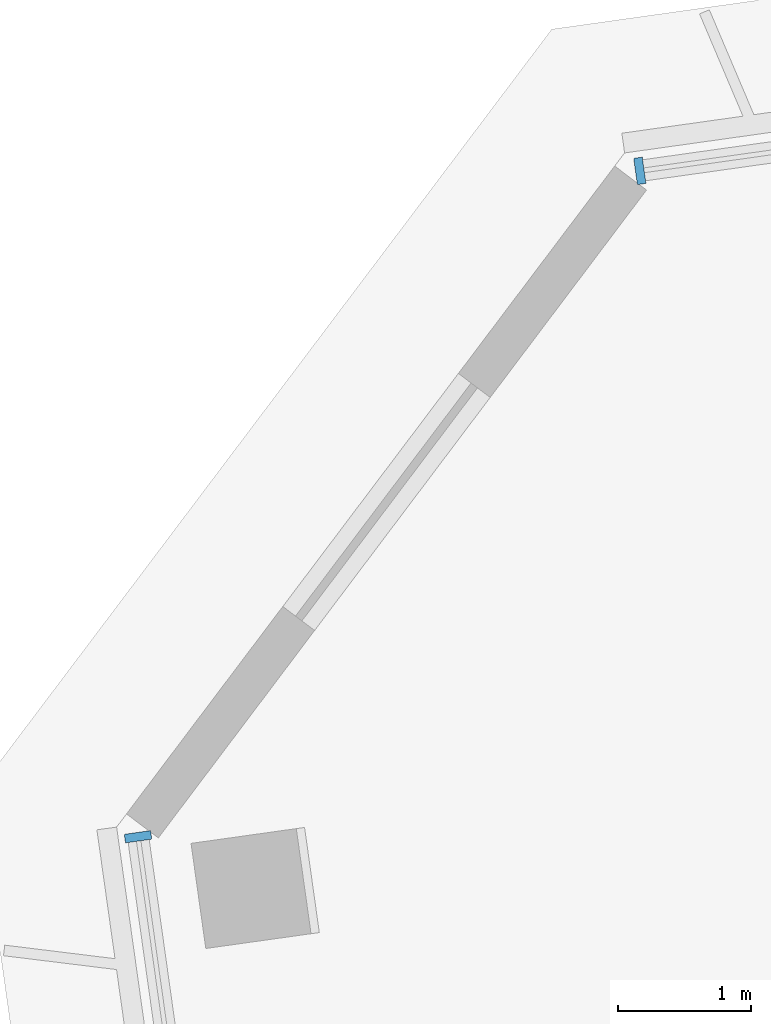
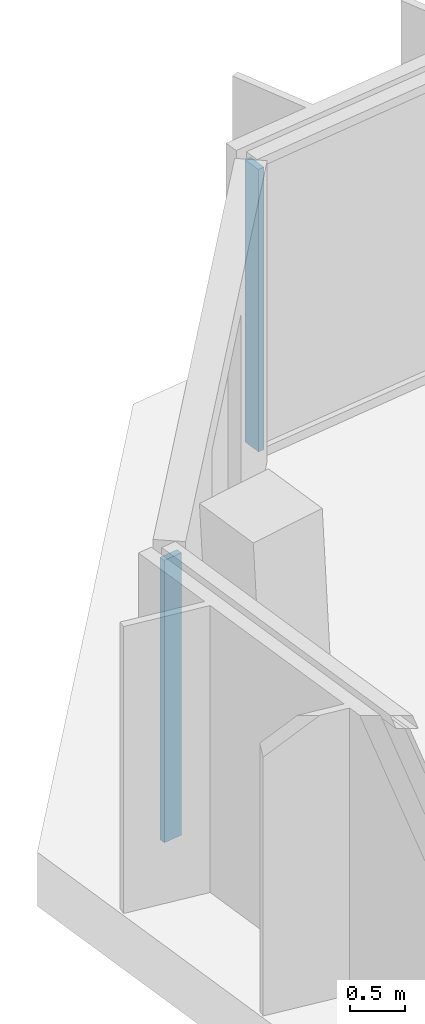
# One storey, part 10 of 32: 2 members, 2 elements without a shape of their own.
"""IFC4 building model written with IfcOpenShell, lengths in metres."""

import ifcopenshell
import ifcopenshell.guid

model = None  # the IFC model being written
_history = None  # IfcOwnerHistory: only IFC2X3 demands one
_inside = {}  # id of a spatial element -> (the spatial element, [elements in it])
_under = {}  # id of a project, library or spatial element -> (it, [spatial elements below it])
_declared = {}  # id of a project -> (the project, [libraries it declares])
_typed = {}  # id of a type object -> (the type object, [elements of that type])
_made_of = {}  # id of a material, layer set ... -> (it, [elements and type objects made of it])


def new_model(schema):
    """Start an empty IFC model of exactly this schema.

    Asked for "IFC4X3", IfcOpenShell would pick the latest addendum, in which some entities
    have other attributes; the version numbers below select the first issue.
    IFC2X3 requires an IfcOwnerHistory on every rooted entity: one is made here for all.
    """
    global model, _history
    if schema == "IFC4X3":
        model = ifcopenshell.file(schema_version=(4, 3, 0, 0))
    else:
        model = ifcopenshell.file(schema=schema)
    _inside.clear()
    _under.clear()
    _declared.clear()
    _typed.clear()
    _made_of.clear()
    _history = None
    if model.schema == "IFC2X3":
        org = make("IfcOrganization", Name="unknown")
        user = make(
            "IfcPersonAndOrganization",
            ThePerson=make("IfcPerson", FamilyName="unknown"),
            TheOrganization=org,
        )
        app = make(
            "IfcApplication",
            ApplicationDeveloper=org,
            Version="unknown",
            ApplicationFullName="unknown",
            ApplicationIdentifier="unknown",
        )
        _history = make(
            "IfcOwnerHistory",
            OwningUser=user,
            OwningApplication=app,
            ChangeAction="ADDED",
            CreationDate=0,
        )
    return model


def make(cls, **values):
    """One entity of the class cls with the attributes given. An attribute that is None is left unset."""
    return model.create_entity(
        cls, **{name: value for name, value in values.items() if value is not None}
    )


def rooted(cls, **values):
    """An entity with a GlobalId (a new one), such as an element, a storey or a relation."""
    return make(cls, GlobalId=ifcopenshell.guid.new(), OwnerHistory=_history, **values)


def si_unit(unit_type, name, prefix=None):
    """IfcSIUnit, for example si_unit("LENGTHUNIT", "METRE", prefix="MILLI")."""
    return make("IfcSIUnit", UnitType=unit_type, Prefix=prefix, Name=name)


def assignment(units):
    """IfcUnitAssignment: the units of a project."""
    return None if units is None else make("IfcUnitAssignment", Units=units)


def point(xyz):
    """IfcCartesianPoint."""
    return None if xyz is None else make("IfcCartesianPoint", Coordinates=xyz)


def direction(xyz):
    """IfcDirection."""
    return None if xyz is None else make("IfcDirection", DirectionRatios=xyz)


def frame(location, z_axis=None, x_axis=None):
    """IfcAxis2Placement3D, a coordinate frame: its origin and axes. An axis left out is left unset."""
    return make(
        "IfcAxis2Placement3D",
        Location=point(location),
        Axis=direction(z_axis),
        RefDirection=direction(x_axis),
    )


def frame_2d(location, x_axis=None):
    """IfcAxis2Placement2D, a coordinate frame in the plane: its origin and x axis."""
    return make(
        "IfcAxis2Placement2D", Location=point(location), RefDirection=direction(x_axis)
    )


def origin():
    """The frame at (0, 0, 0) with its axes left unset."""
    return frame((0.0, 0.0, 0.0))


def origin_2d():
    """The frame at (0, 0) in the plane with its x axis left unset."""
    return frame_2d((0.0, 0.0))


def place(relative_to, where):
    """IfcLocalPlacement: puts the frame where relative to a parent placement (None: the world)."""
    return make(
        "IfcLocalPlacement", PlacementRelTo=relative_to, RelativePlacement=where
    )


def context(
    kind, dimensions, precision=None, world=None, true_north=None, identifier=None
):
    """IfcGeometricRepresentationContext, for example the 3D "Model" context."""
    return make(
        "IfcGeometricRepresentationContext",
        ContextIdentifier=identifier,
        ContextType=kind,
        CoordinateSpaceDimension=dimensions,
        Precision=precision,
        WorldCoordinateSystem=world,
        TrueNorth=true_north,
    )


def subcontext(parent, identifier, kind, view, scale=None):
    """IfcGeometricRepresentationSubContext, for example "Body" below "Model"."""
    return make(
        "IfcGeometricRepresentationSubContext",
        ContextIdentifier=identifier,
        ContextType=kind,
        ParentContext=parent,
        TargetScale=scale,
        TargetView=view,
    )


def project(units=None, contexts=None):
    """IfcProject with its units and contexts."""
    return rooted(
        "IfcProject",
        Name="project",
        RepresentationContexts=contexts,
        UnitsInContext=assignment(units),
    )


def spatial(cls, under=None, at=None, **own):
    """A site, building, storey or space (cls), placed at a placement, below another one or the project."""
    s = rooted(cls, ObjectPlacement=at, **own)
    if under is not None:
        _under.setdefault(under.id(), (under, []))[1].append(s)
    return s


def profile(cls, at=None, kind="AREA", **sizes):
    """A parametric profile (cls). Its sizes go by their IFC names, for example OverallWidth=200.0."""
    return make(cls, ProfileType=kind, Position=at, **sizes)


def rectangle(**sizes):
    """IfcRectangleProfileDef."""
    return profile("IfcRectangleProfileDef", **sizes)


def extrude(swept, where, along, depth):
    """IfcExtrudedAreaSolid: the profile swept, set in the frame where, extruded along a direction by depth."""
    return make(
        "IfcExtrudedAreaSolid",
        SweptArea=swept,
        Position=where,
        ExtrudedDirection=direction(along),
        Depth=depth,
    )


def shape(context_of_items, identifier, shape_type, items):
    """IfcShapeRepresentation: the items that make up one representation, for example the "Body"."""
    return make(
        "IfcShapeRepresentation",
        ContextOfItems=context_of_items,
        RepresentationIdentifier=identifier,
        RepresentationType=shape_type,
        Items=items,
    )


def material(Name=None, Category=None):
    """IfcMaterial."""
    return make("IfcMaterial", Name=Name, Category=Category)


def material_profile(
    of_material, cross_section, Name=None, Category=None, Priority=None
):
    """IfcMaterialProfile: a cross section and its material."""
    return make(
        "IfcMaterialProfile",
        Name=Name,
        Material=of_material,
        Profile=cross_section,
        Priority=Priority,
        Category=Category,
    )


def profile_set(profiles, Name=None, composite=None):
    """IfcMaterialProfileSet."""
    return make(
        "IfcMaterialProfileSet",
        Name=Name,
        MaterialProfiles=profiles,
        CompositeProfile=composite,
    )


def made_of(thing, what):
    """Note that an element or type object is made of a material, layer set ...; save() writes the relation."""
    if what is not None:
        _made_of.setdefault(what.id(), (what, []))[1].append(thing)
    return thing


def type_object(cls, material=None, **own):
    """A type object (cls), such as IfcWallType, which elements share."""
    return made_of(rooted(cls, **own), material)


def element(
    cls,
    number,
    at=None,
    inside=None,
    cuts=None,
    type_object=None,
    material=None,
    context=None,
    identifier="Body",
    shape_type=None,
    held_by="IfcProductDefinitionShape",
    body=None,
    shapes=None,
    **own,
):
    """One element of the class cls, such as IfcWall. Its Tag is "e" and its number.

    at: its placement. inside: the storey or other place that contains it. cuts: it is an
    opening in that element (IfcRelVoidsElement). A single representation is given by context,
    identifier, shape_type and body (its items); several are given by shapes. held_by: the class
    of the entity that holds the representations. save() writes the other relations.
    """
    e = rooted(cls, Tag="e%d" % number, ObjectPlacement=at, **own)
    if body is not None:
        shapes = [shape(context, identifier, shape_type, body)]
    if shapes is not None:
        e.Representation = make(held_by, Representations=shapes)
    if inside is not None:
        _inside.setdefault(inside.id(), (inside, []))[1].append(e)
    if cuts is not None:
        rooted(
            "IfcRelVoidsElement", RelatingBuildingElement=cuts, RelatedOpeningElement=e
        )
    if type_object is not None:
        _typed.setdefault(type_object.id(), (type_object, []))[1].append(e)
    return made_of(e, material)


def aggregate(whole, parts):
    """IfcRelAggregates: a whole, such as a stair, and the parts it consists of."""
    return rooted("IfcRelAggregates", RelatingObject=whole, RelatedObjects=parts)


def save(model, path):
    """Write the relations noted so far, then the file.

    IfcRelAggregates (storeys below a building ...), IfcRelContainedInSpatialStructure (elements
    in a storey), IfcRelDefinesByType, IfcRelAssociatesMaterial and IfcRelDeclares: one each for
    every whole, place, type object, material and project.
    """
    for whole, parts in _under.values():
        aggregate(whole, parts)
    for where, things in _inside.values():
        rooted(
            "IfcRelContainedInSpatialStructure",
            RelatedElements=things,
            RelatingStructure=where,
        )
    for kind, things in _typed.values():
        rooted("IfcRelDefinesByType", RelatedObjects=things, RelatingType=kind)
    for what, things in _made_of.values():
        rooted("IfcRelAssociatesMaterial", RelatedObjects=things, RelatingMaterial=what)
    for by, libraries in _declared.values():
        rooted("IfcRelDeclares", RelatingContext=by, RelatedDefinitions=libraries)
    model.write(path)


model = new_model("IFC4")

# Units and contexts
model_context = context("Model", 3, precision=1e-05, world=origin(), true_north=direction((0.0, 1.0)))
body_context = subcontext(model_context, "Body", "Model", "MODEL_VIEW")
ifc_project = project(units=[si_unit("LENGTHUNIT", "METRE"), si_unit("AREAUNIT", "SQUARE_METRE"), si_unit("VOLUMEUNIT", "CUBIC_METRE"), si_unit("PLANEANGLEUNIT", "RADIAN"), si_unit("MASSUNIT", "GRAM", prefix="KILO")], contexts=[model_context])

# Site, building, storey
site_placement = place(None, origin())
site = spatial("IfcSite", under=ifc_project, at=site_placement, CompositionType="ELEMENT")
building_placement = place(site_placement, origin())
building = spatial("IfcBuilding", under=site, at=building_placement, Name="Mirante Cascada Hotel Towers", CompositionType="ELEMENT")
storey_placement = place(building_placement, frame((0.0, 0.0, 176.4)))
storey = spatial("IfcBuildingStorey", under=building, at=storey_placement, Name="L41", CompositionType="ELEMENT", Elevation=176.4)

# Curtain wall, member
ifc_material_1 = material(Name="Aluminium mullion and transom frame with clear laminated glass", Category="aluminium")
curtain_wall_type_1 = type_object("IfcCurtainWallType", Name="Ribbon curtain wall ECW1", PredefinedType="NOTDEFINED", material=ifc_material_1)
curtain_wall_1_placement = place(storey_placement, origin())
curtain_wall_1 = element("IfcCurtainWall", 1, at=curtain_wall_1_placement, inside=storey, type_object=curtain_wall_type_1, Name="Front ribbon wall T2 L41", PredefinedType="NOTDEFINED")
ifc_material_2 = material(Name="Anodised aluminium extrusion", Category="aluminium")
ifc_material_profile_1 = material_profile(ifc_material_2, rectangle(XDim=0.2, YDim=0.065, at=origin_2d()), Name="ECW1 MULLION 65x200")
ifc_profile_set_1 = profile_set([ifc_material_profile_1], Name="Anodised aluminium extrusion")
member_type_1 = type_object("IfcMemberType", Name="ECW1 mullion 65x200", PredefinedType="MULLION", material=ifc_profile_set_1)
member_1_placement = place(storey_placement, frame((31.2232, 17.2072, 0.1), z_axis=(0.0, 0.0, 1.0), x_axis=(0.1391731, -0.9902681, 0.0)))
member_1 = element("IfcMember", 2, at=member_1_placement, type_object=member_type_1, Name="ECW1 mullion 13", PredefinedType="MULLION", context=body_context, shape_type="SweptSolid", body=[
    extrude(rectangle(XDim=0.2, YDim=0.065, at=origin_2d()), origin(), (0.0, 0.0, 1.0), 3.15),
])
aggregate(curtain_wall_1, [member_1])

ifc_material_3 = material(Name="Aluminium mullion and transom frame with clear laminated glass", Category="aluminium")
curtain_wall_type_2 = type_object("IfcCurtainWallType", Name="End ribbon curtain wall ECW2", PredefinedType="NOTDEFINED", material=ifc_material_3)
curtain_wall_2_placement = place(storey_placement, origin())
curtain_wall_2 = element("IfcCurtainWall", 3, at=curtain_wall_2_placement, inside=storey, type_object=curtain_wall_type_2, Name="Inner end wall T2 L41", PredefinedType="NOTDEFINED")
ifc_material_4 = material(Name="Anodised aluminium extrusion", Category="aluminium")
ifc_material_profile_2 = material_profile(ifc_material_4, rectangle(XDim=0.2, YDim=0.065, at=origin_2d()), Name="ECW2 MULLION 65x200")
ifc_profile_set_2 = profile_set([ifc_material_profile_2], Name="Anodised aluminium extrusion")
member_type_2 = type_object("IfcMemberType", Name="ECW2 mullion 65x200", PredefinedType="MULLION", material=ifc_profile_set_2)
member_2_placement = place(storey_placement, frame((27.4404, 12.1872, 0.1), z_axis=(0.0, 0.0, 1.0), x_axis=(0.9902681, 0.1391731, 0.0)))
member_2 = element("IfcMember", 4, at=member_2_placement, type_object=member_type_2, Name="ECW2 mullion 1", PredefinedType="MULLION", context=body_context, shape_type="SweptSolid", body=[
    extrude(rectangle(XDim=0.2, YDim=0.065, at=origin_2d()), origin(), (0.0, 0.0, 1.0), 3.15),
])
aggregate(curtain_wall_2, [member_2])

save(model, "model.ifc")
